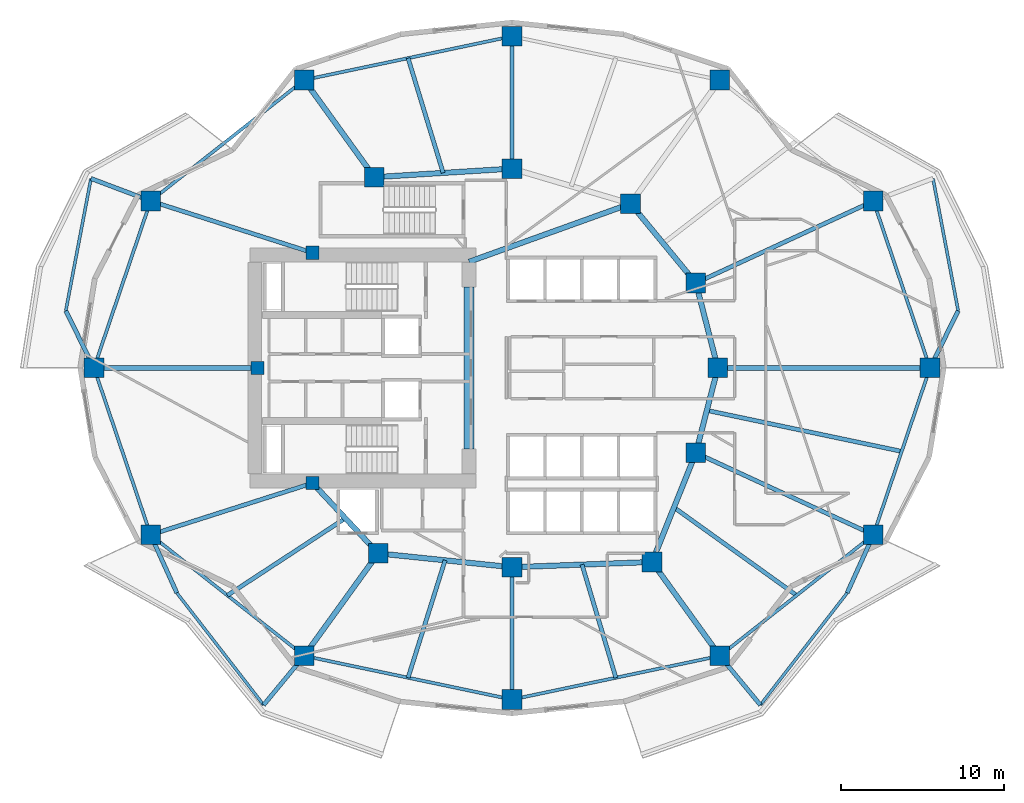
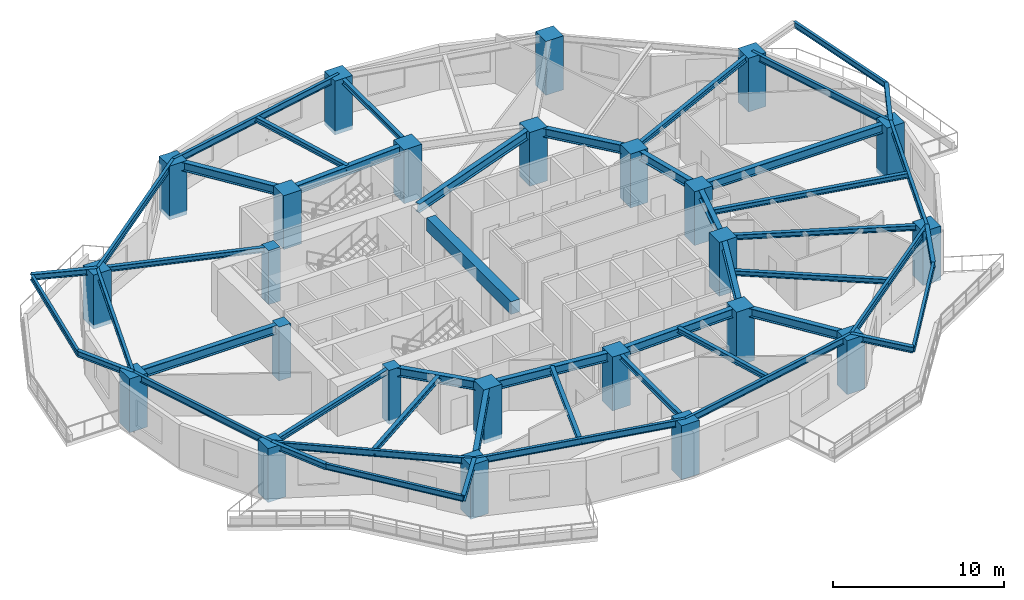
# One storey, part 1 of 11: 48 beams, 24 columns.
"""IFC4 building model written with IfcOpenShell, lengths in metres."""

from ifc_helpers import new_model, si_unit, direction, frame, origin, origin_2d, place, context, subcontext, project, spatial, rectangle, i_section, extrude, material, material_profile, profile_set, type_object, element, save


model = new_model("IFC4")

# Units and contexts
model_context = context("Model", 3, precision=1e-05, world=origin(), true_north=direction((0.0, 1.0)))
body_context = subcontext(model_context, "Body", "Model", "MODEL_VIEW")
ifc_project = project(units=[si_unit("LENGTHUNIT", "METRE"), si_unit("AREAUNIT", "SQUARE_METRE"), si_unit("VOLUMEUNIT", "CUBIC_METRE"), si_unit("PLANEANGLEUNIT", "RADIAN"), si_unit("MASSUNIT", "GRAM", prefix="KILO")], contexts=[model_context])

# Site, building, storey
site_placement = place(None, origin())
site = spatial("IfcSite", under=ifc_project, at=site_placement, CompositionType="ELEMENT")
building_placement = place(site_placement, origin())
building = spatial("IfcBuilding", under=site, at=building_placement, Name="Kolvaren Gate Tower and Convention Centre", CompositionType="ELEMENT")
storey_placement = place(building_placement, frame((0.0, 0.0, 88.10009765625)))
storey = spatial("IfcBuildingStorey", under=building, at=storey_placement, Name="L21", CompositionType="ELEMENT", Elevation=88.10009765625)

# Columns
ifc_material_1 = material(Name="Concrete C70/85", Category="concrete")
ifc_material_profile_1 = material_profile(ifc_material_1, rectangle(XDim=1.199951171875, YDim=1.199951171875, at=origin_2d()), Name="RC-COL-1200X1200")
ifc_profile_set_1 = profile_set([ifc_material_profile_1], Name="Concrete C70/85")
column_type_1 = type_object("IfcColumnType", Name="STR-COL-RC1200", PredefinedType="COLUMN", material=ifc_profile_set_1)
for number, where, z_axis, x_axis, name in (
    (1, (55.71240234375, 27.0, -0.280029296875), (0.0, 0.0, 1.0), (1.0, 0.0, 0.0), "Tower L21 Perimeter Supercolumn TP-01"),
    (2, (52.248779296875, 37.218505859375, -0.280029296875), (0.0, 0.0, 1.0), (1.0, 0.0, 0.0), "Tower L21 Perimeter Supercolumn TP-02"),
    (3, (42.846435546875, 44.627197265625, -0.280029296875), (0.0, 0.0, 1.0), (1.0, 0.0, 0.0), "Tower L21 Perimeter Supercolumn TP-03"),
    (4, (30.125, 47.300048828125, -0.280029296875), (0.0, 0.0, 1.0), (1.0, 0.0, 0.0), "Tower L21 Perimeter Supercolumn TP-04"),
    (5, (17.40380859375, 44.627197265625, -0.280029296875), (0.0, 0.0, 1.0), (1.0, 0.0, 0.0), "Tower L21 Perimeter Supercolumn TP-05"),
    (6, (8.001220703125, 37.218505859375, -0.280029296875), (0.0, 0.0, 1.0), (1.0, 0.0, 0.0), "Tower L21 Perimeter Supercolumn TP-06"),
    (7, (4.53759765625, 27.0, -0.280029296875), (0.0, 0.0, 1.0), (1.0, 0.0, 0.0), "Tower L21 Perimeter Supercolumn TP-07"),
    (8, (8.001220703125, 16.781494140625, -0.280029296875), (0.0, 0.0, 1.0), (1.0, 0.0, 0.0), "Tower L21 Perimeter Supercolumn TP-08"),
    (9, (17.403564453125, 9.372802734375, -0.280029296875), (0.0, 0.0, 1.0), (1.0, 0.0, 0.0), "Tower L21 Perimeter Supercolumn TP-09"),
    (10, (30.125, 6.699951171875, -0.280029296875), (0.0, 0.0, 1.0), (1.0, 0.0, 0.0), "Tower L21 Perimeter Supercolumn TP-10"),
    (11, (42.846435546875, 9.372802734375, -0.280029296875), (0.0, 0.0, 1.0), (1.0, 0.0, 0.0), "Tower L21 Perimeter Supercolumn TP-11"),
    (12, (52.248779296875, 16.781494140625, -0.280029296875), (0.0, 0.0, 1.0), (1.0, 0.0, 0.0), "Tower L21 Perimeter Supercolumn TP-12"),
    (13, (42.72509765625, 27.0, -0.280029296875), (0.0, 0.0, 1.0), (1.0, 0.0, 0.0), "Tower L21 Interior Column TI-01"),
    (14, (41.382080078125, 32.199462890625, -0.280029296875), (0.0, 0.0, 1.0), (1.0, 0.0, 0.0), "Tower L21 Interior Column TI-02"),
    (15, (37.381591796875, 37.054931640625, -0.280029296875), (0.0, 0.0, 1.0), (1.0, 0.0, 0.0), "Tower L21 Interior Column TI-03"),
    (16, (30.125, 39.199951171875, -0.280029296875), (0.0, 0.0, 1.0), (1.0, 0.0, 0.0), "Tower L21 Interior Column TI-04"),
    (17, (21.697998046875, 38.6767578125, -0.280029296875), (0.0, 0.0, 1.0), (1.0, 0.0, 0.0), "Tower L21 Interior Column TI-05"),
    (18, (21.93212890625, 15.647705078125, -0.280029296875), (0.0, 0.0, 1.0), (1.0, 0.0, 0.0), "Tower L21 Interior Column TI-06"),
    (19, (30.125, 14.800048828125, -0.280029296875), (0.0, 0.0, 1.0), (1.0, 0.0, 0.0), "Tower L21 Interior Column TI-07"),
    (20, (38.6982421875, 15.12060546875, -0.280029296875), (0.0, 0.0, 1.0), (1.0, 0.0, 0.0), "Tower L21 Interior Column TI-08"),
    (21, (41.382080078125, 21.800537109375, -0.280029296875), (0.0, 0.0, 1.0), (1.0, 0.0, 0.0), "Tower L21 Interior Column TI-09"),
):
    element("IfcColumn", number, at=place(storey_placement, frame(where, z_axis=z_axis, x_axis=x_axis)), inside=storey, type_object=column_type_1, Name=name, PredefinedType="COLUMN", context=body_context, shape_type="SweptSolid", body=[
        extrude(rectangle(XDim=1.199951171875, YDim=1.199951171875, at=origin_2d()), origin(), (0.0, 0.0, 1.0), 3.849853515625),
    ])
ifc_material_2 = material(Name="Concrete C60/75", Category="concrete")
ifc_material_profile_2 = material_profile(ifc_material_2, rectangle(XDim=0.800048828125, YDim=0.800048828125, at=origin_2d()), Name="RC-COL-800X800")
ifc_profile_set_2 = profile_set([ifc_material_profile_2], Name="Concrete C60/75")
column_type_2 = type_object("IfcColumnType", Name="STR-PIL-RC800", PredefinedType="PILASTER", material=ifc_profile_set_2)
for number, where, z_axis, x_axis, name in (
    (22, (17.9140625, 34.050048828125, -0.280029296875), (0.0, 0.0, 1.0), (1.0, 0.0, 0.0), "Tower L21 Core Boundary Pilaster TC-05"),
    (23, (14.550048828125, 27.0, -0.280029296875), (0.0, 0.0, 1.0), (1.0, 0.0, 0.0), "Tower L21 Core Boundary Pilaster TC-06"),
    (24, (17.9140625, 19.949951171875, -0.280029296875), (0.0, 0.0, 1.0), (1.0, 0.0, 0.0), "Tower L21 Core Boundary Pilaster TC-07"),
):
    element("IfcColumn", number, at=place(storey_placement, frame(where, z_axis=z_axis, x_axis=x_axis)), inside=storey, type_object=column_type_2, Name=name, PredefinedType="PILASTER", context=body_context, shape_type="SweptSolid", body=[
        extrude(rectangle(XDim=0.800048828125, YDim=0.800048828125, at=origin_2d()), origin(), (0.0, 0.0, 1.0), 3.849853515625),
    ])

# Beams
ifc_material_3 = material(Name="Structural steel ASTM A992 Grade 345 MPa", Category="steel")
ifc_material_profile_3 = material_profile(ifc_material_3, i_section(OverallWidth=0.260009765625, OverallDepth=0.419921875, WebThickness=0.013427734375, FlangeThickness=0.0224609375, at=origin_2d()), Name="W410X132")
ifc_profile_set_3 = profile_set([ifc_material_profile_3], Name="Structural steel ASTM A992 Grade 345 MPa")
beam_type_1 = type_object("IfcBeamType", Name="STR-BM-W410X132", PredefinedType="BEAM", material=ifc_profile_set_3)
beam_1_placement = place(storey_placement, frame((55.71240234375, 27.0, 3.3603515625), z_axis=(0.442775963142, 0.896632280516, 0.0), x_axis=(-0.896632280516, 0.442775963142, 0.0)))
element("IfcBeam", 25, at=beam_1_placement, inside=storey, type_object=beam_type_1, Name="Tower L22 Planted Balcony Outrigger Cantilever BC-1A", PredefinedType="BEAM", context=body_context, shape_type="SweptSolid", body=[
    extrude(i_section(OverallWidth=0.260009765625, OverallDepth=0.419921875, WebThickness=0.013427734375, FlangeThickness=0.0224609375, at=origin_2d()), origin(), (0.0, 0.0, 1.0), 3.89990234375),
])
beam_2_placement = place(storey_placement, frame((8.001220703125, 37.218505859375, 3.3603515625), z_axis=(-0.935601718951, 0.353057252434, 0.0), x_axis=(-0.353057252434, -0.935601718951, 0.0)))
element("IfcBeam", 26, at=beam_2_placement, inside=storey, type_object=beam_type_1, Name="Tower L22 Planted Balcony Outrigger Cantilever BC-2A", PredefinedType="BEAM", context=body_context, shape_type="SweptSolid", body=[
    extrude(i_section(OverallWidth=0.260009765625, OverallDepth=0.419921875, WebThickness=0.013427734375, FlangeThickness=0.0224609375, at=origin_2d()), origin(), (0.0, 0.0, 1.0), 3.900146484375),
])
beam_3_placement = place(storey_placement, frame((4.53759765625, 27.0, 3.3603515625), z_axis=(-0.442775963142, 0.896632280516, 0.0), x_axis=(-0.896632280516, -0.442775963142, 0.0)))
element("IfcBeam", 27, at=beam_3_placement, inside=storey, type_object=beam_type_1, Name="Tower L22 Planted Balcony Outrigger Cantilever BC-2B", PredefinedType="BEAM", context=body_context, shape_type="SweptSolid", body=[
    extrude(i_section(OverallWidth=0.260009765625, OverallDepth=0.419921875, WebThickness=0.013427734375, FlangeThickness=0.0224609375, at=origin_2d()), origin(), (0.0, 0.0, 1.0), 3.89990234375),
])
beam_4_placement = place(storey_placement, frame((8.001220703125, 16.781494140625, 3.3603515625), z_axis=(0.411967423592, -0.911198574351, 0.0), x_axis=(0.911198574351, 0.411967423592, 0.0)))
element("IfcBeam", 28, at=beam_4_placement, inside=storey, type_object=beam_type_1, Name="Tower L22 Planted Balcony Outrigger Cantilever BC-3A", PredefinedType="BEAM", context=body_context, shape_type="SweptSolid", body=[
    extrude(i_section(OverallWidth=0.260009765625, OverallDepth=0.419921875, WebThickness=0.013427734375, FlangeThickness=0.0224609375, at=origin_2d()), origin(), (0.0, 0.0, 1.0), 3.900146484375),
])
for number, where, z_axis, x_axis, name in (
    (29, (17.403564453125, 9.372802734375, 3.3603515625), (-0.637044832711, -0.770826751687, 0.0), (0.770826751687, -0.637044832711, 0.0), "Tower L22 Planted Balcony Outrigger Cantilever BC-3B"),
    (30, (42.846435546875, 9.372802734375, 3.3603515625), (0.637044832711, -0.770826751687, 0.0), (0.770826751687, 0.637044832711, 0.0), "Tower L22 Planted Balcony Outrigger Cantilever BC-4A"),
):
    element("IfcBeam", number, at=place(storey_placement, frame(where, z_axis=z_axis, x_axis=x_axis)), inside=storey, type_object=beam_type_1, Name=name, PredefinedType="BEAM", context=body_context, shape_type="SweptSolid", body=[
        extrude(i_section(OverallWidth=0.260009765625, OverallDepth=0.419921875, WebThickness=0.013427734375, FlangeThickness=0.0224609375, at=origin_2d()), origin(), (0.0, 0.0, 1.0), 3.89990234375),
    ])
beam_5_placement = place(storey_placement, frame((52.248779296875, 16.781494140625, 3.3603515625), z_axis=(-0.411967423592, -0.911198574351, 0.0), x_axis=(0.911198574351, -0.411967423592, 0.0)))
element("IfcBeam", 31, at=beam_5_placement, inside=storey, type_object=beam_type_1, Name="Tower L22 Planted Balcony Outrigger Cantilever BC-4B", PredefinedType="BEAM", context=body_context, shape_type="SweptSolid", body=[
    extrude(i_section(OverallWidth=0.260009765625, OverallDepth=0.419921875, WebThickness=0.013427734375, FlangeThickness=0.0224609375, at=origin_2d()), origin(), (0.0, 0.0, 1.0), 3.900146484375),
])
ifc_material_profile_4 = material_profile(ifc_material_3, i_section(OverallWidth=0.327880859375, OverallDepth=0.6279296875, WebThickness=0.0166015625, FlangeThickness=0.027587890625, at=origin_2d()), Name="W610X217")
ifc_profile_set_4 = profile_set([ifc_material_profile_4], Name="Structural steel ASTM A992 Grade 345 MPa")
beam_type_2 = type_object("IfcBeamType", Name="STR-BM-W610X217", PredefinedType="BEAM", material=ifc_profile_set_4)
beam_6_placement = place(storey_placement, frame((42.72509765625, 27.0, 3.255859375), z_axis=(-0.250091133936, -0.968222301296, 0.0), x_axis=(0.968222301296, -0.250091133936, 0.0)))
element("IfcBeam", 32, at=beam_6_placement, inside=storey, type_object=beam_type_2, Name="Tower L21 Primary Ring Girder G-01", PredefinedType="BEAM", context=body_context, shape_type="SweptSolid", body=[
    extrude(i_section(OverallWidth=0.327880859375, OverallDepth=0.6279296875, WebThickness=0.0166015625, FlangeThickness=0.027587890625, at=origin_2d()), origin(), (0.0, 0.0, 1.0), 5.3701171875),
])
beam_7_placement = place(storey_placement, frame((41.382080078125, 32.199462890625, 3.255859375), z_axis=(-0.635884066011, 0.771784590798, 0.0), x_axis=(-0.771784590798, -0.635884066011, 0.0)))
element("IfcBeam", 33, at=beam_7_placement, inside=storey, type_object=beam_type_2, Name="Tower L21 Primary Ring Girder G-02", PredefinedType="BEAM", context=body_context, shape_type="SweptSolid", body=[
    extrude(i_section(OverallWidth=0.327880859375, OverallDepth=0.6279296875, WebThickness=0.0166015625, FlangeThickness=0.027587890625, at=origin_2d()), origin(), (0.0, 0.0, 1.0), 6.291259765625),
])
beam_8_placement = place(storey_placement, frame((30.125, 39.199951171875, 3.255859375), z_axis=(-0.998078258568, -0.06196603726, 0.0), x_axis=(0.06196603726, -0.998078258568, 0.0)))
element("IfcBeam", 34, at=beam_8_placement, inside=storey, type_object=beam_type_2, Name="Tower L21 Primary Ring Girder G-04", PredefinedType="BEAM", context=body_context, shape_type="SweptSolid", body=[
    extrude(i_section(OverallWidth=0.327880859375, OverallDepth=0.6279296875, WebThickness=0.0166015625, FlangeThickness=0.027587890625, at=origin_2d()), origin(), (0.0, 0.0, 1.0), 8.443115234375),
])
beam_9_placement = place(storey_placement, frame((17.9140625, 19.949951171875, 3.255859375), z_axis=(0.682557592987, -0.730831808459, 0.0), x_axis=(0.730831808459, 0.682557592987, 0.0)))
element("IfcBeam", 35, at=beam_9_placement, inside=storey, type_object=beam_type_2, Name="Tower L21 Primary Ring Girder G-06", PredefinedType="BEAM", context=body_context, shape_type="SweptSolid", body=[
    extrude(i_section(OverallWidth=0.327880859375, OverallDepth=0.6279296875, WebThickness=0.0166015625, FlangeThickness=0.027587890625, at=origin_2d()), origin(), (0.0, 0.0, 1.0), 5.88671875),
])
beam_10_placement = place(storey_placement, frame((21.93212890625, 15.647705078125, 3.255859375), z_axis=(0.994690329115, -0.102913308978, 0.0), x_axis=(0.102913308978, 0.994690329115, 0.0)))
element("IfcBeam", 36, at=beam_10_placement, inside=storey, type_object=beam_type_2, Name="Tower L21 Primary Ring Girder G-07", PredefinedType="BEAM", context=body_context, shape_type="SweptSolid", body=[
    extrude(i_section(OverallWidth=0.327880859375, OverallDepth=0.6279296875, WebThickness=0.0166015625, FlangeThickness=0.027587890625, at=origin_2d()), origin(), (0.0, 0.0, 1.0), 8.236572265625),
])
beam_11_placement = place(storey_placement, frame((30.125, 14.800048828125, 3.255859375), z_axis=(0.999301712453, 0.037364254142, 0.0), x_axis=(-0.037364254142, 0.999301712453, 0.0)))
element("IfcBeam", 37, at=beam_11_placement, inside=storey, type_object=beam_type_2, Name="Tower L21 Primary Ring Girder G-08", PredefinedType="BEAM", context=body_context, shape_type="SweptSolid", body=[
    extrude(i_section(OverallWidth=0.327880859375, OverallDepth=0.6279296875, WebThickness=0.0166015625, FlangeThickness=0.027587890625, at=origin_2d()), origin(), (0.0, 0.0, 1.0), 8.579345703125),
])
beam_12_placement = place(storey_placement, frame((38.6982421875, 15.12060546875, 3.255859375), z_axis=(0.372811100169, 0.927907260232, 0.0), x_axis=(-0.927907260232, 0.372811100169, 0.0)))
element("IfcBeam", 38, at=beam_12_placement, inside=storey, type_object=beam_type_2, Name="Tower L21 Primary Ring Girder G-09", PredefinedType="BEAM", context=body_context, shape_type="SweptSolid", body=[
    extrude(i_section(OverallWidth=0.327880859375, OverallDepth=0.6279296875, WebThickness=0.0166015625, FlangeThickness=0.027587890625, at=origin_2d()), origin(), (0.0, 0.0, 1.0), 7.198974609375),
])
beam_13_placement = place(storey_placement, frame((27.5, 33.5, 3.255859375), z_axis=(0.940961479908, 0.338513653093, 0.0), x_axis=(-0.338513653093, 0.940961479908, 0.0)))
element("IfcBeam", 39, at=beam_13_placement, inside=storey, type_object=beam_type_2, Name="Tower L21 Primary Ring Girder G-10", PredefinedType="BEAM", context=body_context, shape_type="SweptSolid", body=[
    extrude(i_section(OverallWidth=0.327880859375, OverallDepth=0.6279296875, WebThickness=0.0166015625, FlangeThickness=0.027587890625, at=origin_2d()), origin(), (0.0, 0.0, 1.0), 10.501708984375),
])
beam_14_placement = place(storey_placement, frame((42.72509765625, 27.0, 3.255859375), z_axis=(-0.250091133936, 0.968222301296, 0.0), x_axis=(-0.968222301296, -0.250091133936, 0.0)))
element("IfcBeam", 40, at=beam_14_placement, inside=storey, type_object=beam_type_2, Name="Tower L21 Primary Ring Girder G-12", PredefinedType="BEAM", context=body_context, shape_type="SweptSolid", body=[
    extrude(i_section(OverallWidth=0.327880859375, OverallDepth=0.6279296875, WebThickness=0.0166015625, FlangeThickness=0.027587890625, at=origin_2d()), origin(), (0.0, 0.0, 1.0), 5.3701171875),
])
beam_15_placement = place(storey_placement, frame((42.72509765625, 27.0, 3.255859375), z_axis=(1.0, 0.0, 0.0), x_axis=(0.0, 1.0, 0.0)))
element("IfcBeam", 41, at=beam_15_placement, inside=storey, type_object=beam_type_2, Name="Tower L21 Radial Floor Girder RB-01", PredefinedType="BEAM", context=body_context, shape_type="SweptSolid", body=[
    extrude(i_section(OverallWidth=0.327880859375, OverallDepth=0.6279296875, WebThickness=0.0166015625, FlangeThickness=0.027587890625, at=origin_2d()), origin(), (0.0, 0.0, 1.0), 12.9873046875),
])
beam_16_placement = place(storey_placement, frame((21.697998046875, 38.6767578125, 3.255859375), z_axis=(-0.585190474102, 0.810895868173, 0.0), x_axis=(-0.810895868173, -0.585190474102, 0.0)))
element("IfcBeam", 42, at=beam_16_placement, inside=storey, type_object=beam_type_2, Name="Tower L21 Radial Floor Girder RB-05", PredefinedType="BEAM", context=body_context, shape_type="SweptSolid", body=[
    extrude(i_section(OverallWidth=0.327880859375, OverallDepth=0.6279296875, WebThickness=0.0166015625, FlangeThickness=0.027587890625, at=origin_2d()), origin(), (0.0, 0.0, 1.0), 7.338134765625),
])
beam_17_placement = place(storey_placement, frame((14.550048828125, 27.0, 3.255859375), z_axis=(-1.0, 0.0, 0.0), x_axis=(0.0, -1.0, 0.0)))
element("IfcBeam", 43, at=beam_17_placement, inside=storey, type_object=beam_type_2, Name="Tower L21 Radial Floor Girder RB-07", PredefinedType="BEAM", context=body_context, shape_type="SweptSolid", body=[
    extrude(i_section(OverallWidth=0.327880859375, OverallDepth=0.6279296875, WebThickness=0.0166015625, FlangeThickness=0.027587890625, at=origin_2d()), origin(), (0.0, 0.0, 1.0), 10.012451171875),
])
beam_18_placement = place(storey_placement, frame((21.93212890625, 15.647705078125, 3.255859375), z_axis=(-0.585209453994, -0.810882170821, 0.0), x_axis=(0.810882170821, -0.585209453994, 0.0)))
element("IfcBeam", 44, at=beam_18_placement, inside=storey, type_object=beam_type_2, Name="Tower L21 Radial Floor Girder RB-09", PredefinedType="BEAM", context=body_context, shape_type="SweptSolid", body=[
    extrude(i_section(OverallWidth=0.327880859375, OverallDepth=0.6279296875, WebThickness=0.0166015625, FlangeThickness=0.027587890625, at=origin_2d()), origin(), (0.0, 0.0, 1.0), 7.73828125),
])
beam_19_placement = place(storey_placement, frame((38.6982421875, 15.12060546875, 3.255859375), z_axis=(0.585212604054, -0.81087989743, 0.0), x_axis=(0.81087989743, 0.585212604054, 0.0)))
element("IfcBeam", 45, at=beam_19_placement, inside=storey, type_object=beam_type_2, Name="Tower L21 Radial Floor Girder RB-11", PredefinedType="BEAM", context=body_context, shape_type="SweptSolid", body=[
    extrude(i_section(OverallWidth=0.327880859375, OverallDepth=0.6279296875, WebThickness=0.0166015625, FlangeThickness=0.027587890625, at=origin_2d()), origin(), (0.0, 0.0, 1.0), 7.08837890625),
])
ifc_material_profile_5 = material_profile(ifc_material_3, i_section(OverallWidth=0.2548828125, OverallDepth=0.35693359375, WebThickness=0.010498046875, FlangeThickness=0.018310546875, at=origin_2d()), Name="W360X101")
ifc_profile_set_5 = profile_set([ifc_material_profile_5], Name="Structural steel ASTM A992 Grade 345 MPa")
beam_type_3 = type_object("IfcBeamType", Name="STR-JS-W360X101", PredefinedType="JOIST", material=ifc_profile_set_5)
beam_20_placement = place(storey_placement, frame((41.382080078125, 32.199462890625, 3.391357421875), z_axis=(0.907843538102, 0.419309086864, 0.0), x_axis=(-0.419309086864, 0.907843538102, 0.0)))
element("IfcBeam", 46, at=beam_20_placement, inside=storey, type_object=beam_type_3, Name="Tower L21 Radial Floor Girder RB-02", PredefinedType="JOIST", context=body_context, shape_type="SweptSolid", body=[
    extrude(i_section(OverallWidth=0.2548828125, OverallDepth=0.35693359375, WebThickness=0.010498046875, FlangeThickness=0.018310546875, at=origin_2d()), origin(), (0.0, 0.0, 1.0), 11.9697265625),
])
beam_21_placement = place(storey_placement, frame((30.125, 39.199951171875, 3.391357421875), z_axis=(0.0, 1.0, 0.0), x_axis=(-1.0, 0.0, 0.0)))
element("IfcBeam", 47, at=beam_21_placement, inside=storey, type_object=beam_type_3, Name="Tower L21 Radial Floor Girder RB-04", PredefinedType="JOIST", context=body_context, shape_type="SweptSolid", body=[
    extrude(i_section(OverallWidth=0.2548828125, OverallDepth=0.35693359375, WebThickness=0.010498046875, FlangeThickness=0.018310546875, at=origin_2d()), origin(), (0.0, 0.0, 1.0), 8.10009765625),
])
for number, where, z_axis, x_axis, name in (
    (48, (17.9140625, 34.050048828125, 3.391357421875), (-0.952525967456, 0.304457355507, 0.0), (-0.304457355507, -0.952525967456, 0.0), "Tower L21 Radial Floor Girder RB-06"),
    (49, (17.9140625, 19.949951171875, 3.391357421875), (-0.952525967456, -0.304457355507, 0.0), (0.304457355507, -0.952525967456, 0.0), "Tower L21 Radial Floor Girder RB-08"),
):
    element("IfcBeam", number, at=place(storey_placement, frame(where, z_axis=z_axis, x_axis=x_axis)), inside=storey, type_object=beam_type_3, Name=name, PredefinedType="JOIST", context=body_context, shape_type="SweptSolid", body=[
        extrude(i_section(OverallWidth=0.2548828125, OverallDepth=0.35693359375, WebThickness=0.010498046875, FlangeThickness=0.018310546875, at=origin_2d()), origin(), (0.0, 0.0, 1.0), 10.406982421875),
    ])
beam_22_placement = place(storey_placement, frame((30.125, 14.800048828125, 3.391357421875), z_axis=(0.0, -1.0, 0.0), x_axis=(1.0, 0.0, 0.0)))
element("IfcBeam", 50, at=beam_22_placement, inside=storey, type_object=beam_type_3, Name="Tower L21 Radial Floor Girder RB-10", PredefinedType="JOIST", context=body_context, shape_type="SweptSolid", body=[
    extrude(i_section(OverallWidth=0.2548828125, OverallDepth=0.35693359375, WebThickness=0.010498046875, FlangeThickness=0.018310546875, at=origin_2d()), origin(), (0.0, 0.0, 1.0), 8.10009765625),
])
beam_23_placement = place(storey_placement, frame((41.382080078125, 21.800537109375, 3.391357421875), z_axis=(0.907843538102, -0.419309086864, 0.0), x_axis=(0.419309086864, 0.907843538102, 0.0)))
element("IfcBeam", 51, at=beam_23_placement, inside=storey, type_object=beam_type_3, Name="Tower L21 Radial Floor Girder RB-12", PredefinedType="JOIST", context=body_context, shape_type="SweptSolid", body=[
    extrude(i_section(OverallWidth=0.2548828125, OverallDepth=0.35693359375, WebThickness=0.010498046875, FlangeThickness=0.018310546875, at=origin_2d()), origin(), (0.0, 0.0, 1.0), 11.9697265625),
])
beam_24_placement = place(storey_placement, frame((25.91162109375, 38.938232421875, 3.391357421875), z_axis=(-0.292298748053, 0.956327058012, 0.0), x_axis=(-0.956327058012, -0.292298748053, 0.0)))
element("IfcBeam", 52, at=beam_24_placement, inside=storey, type_object=beam_type_3, Name="Tower L21 Secondary Composite Floor Joist J-04.1", PredefinedType="JOIST", context=body_context, shape_type="SweptSolid", body=[
    extrude(i_section(OverallWidth=0.2548828125, OverallDepth=0.35693359375, WebThickness=0.010498046875, FlangeThickness=0.018310546875, at=origin_2d()), origin(), (0.0, 0.0, 1.0), 7.345947265625),
])
beam_25_placement = place(storey_placement, frame((19.923095703125, 17.798828125, 3.391357421875), z_axis=(-0.836945684387, -0.547285959428, 0.0), x_axis=(0.547285959428, -0.836945684387, 0.0)))
element("IfcBeam", 53, at=beam_25_placement, inside=storey, type_object=beam_type_3, Name="Tower L21 Secondary Composite Floor Joist J-08.1", PredefinedType="JOIST", context=body_context, shape_type="SweptSolid", body=[
    extrude(i_section(OverallWidth=0.2548828125, OverallDepth=0.35693359375, WebThickness=0.010498046875, FlangeThickness=0.018310546875, at=origin_2d()), origin(), (0.0, 0.0, 1.0), 8.62744140625),
])
beam_26_placement = place(storey_placement, frame((26.028564453125, 15.223876953125, 3.391357421875), z_axis=(-0.300467647472, -0.953792007108, 0.0), x_axis=(0.953792007108, -0.300467647472, 0.0)))
element("IfcBeam", 54, at=beam_26_placement, inside=storey, type_object=beam_type_3, Name="Tower L21 Secondary Composite Floor Joist J-09.1", PredefinedType="JOIST", context=body_context, shape_type="SweptSolid", body=[
    extrude(i_section(OverallWidth=0.2548828125, OverallDepth=0.35693359375, WebThickness=0.010498046875, FlangeThickness=0.018310546875, at=origin_2d()), origin(), (0.0, 0.0, 1.0), 7.535400390625),
])
beam_27_placement = place(storey_placement, frame((34.41162109375, 14.960205078125, 3.391357421875), z_axis=(0.286954287166, -0.957944276603, 0.0), x_axis=(0.957944276603, 0.286954287166, 0.0)))
element("IfcBeam", 55, at=beam_27_placement, inside=storey, type_object=beam_type_3, Name="Tower L21 Secondary Composite Floor Joist J-10.1", PredefinedType="JOIST", context=body_context, shape_type="SweptSolid", body=[
    extrude(i_section(OverallWidth=0.2548828125, OverallDepth=0.35693359375, WebThickness=0.010498046875, FlangeThickness=0.018310546875, at=origin_2d()), origin(), (0.0, 0.0, 1.0), 7.2275390625),
])
beam_28_placement = place(storey_placement, frame((40.040283203125, 18.46044921875, 3.391357421875), z_axis=(0.812660683761, -0.582737173234, 0.0), x_axis=(0.582737173234, 0.812660683761, 0.0)))
element("IfcBeam", 56, at=beam_28_placement, inside=storey, type_object=beam_type_3, Name="Tower L21 Secondary Composite Floor Joist J-11.1", PredefinedType="JOIST", context=body_context, shape_type="SweptSolid", body=[
    extrude(i_section(OverallWidth=0.2548828125, OverallDepth=0.35693359375, WebThickness=0.010498046875, FlangeThickness=0.018310546875, at=origin_2d()), origin(), (0.0, 0.0, 1.0), 9.238037109375),
])
beam_29_placement = place(storey_placement, frame((42.0537109375, 24.400146484375, 3.391357421875), z_axis=(0.978573369431, -0.205898423114, 0.0), x_axis=(0.205898423114, 0.978573369431, 0.0)))
element("IfcBeam", 57, at=beam_29_placement, inside=storey, type_object=beam_type_3, Name="Tower L21 Secondary Composite Floor Joist J-12.1", PredefinedType="JOIST", context=body_context, shape_type="SweptSolid", body=[
    extrude(i_section(OverallWidth=0.2548828125, OverallDepth=0.35693359375, WebThickness=0.010498046875, FlangeThickness=0.018310546875, at=origin_2d()), origin(), (0.0, 0.0, 1.0), 12.188232421875),
])
ifc_material_profile_6 = material_profile(ifc_material_2, rectangle(XDim=0.60009765625, YDim=0.89990234375, at=origin_2d()), Name="RC-BM-600X900")
ifc_profile_set_6 = profile_set([ifc_material_profile_6], Name="Concrete C60/75")
beam_type_4 = type_object("IfcBeamType", Name="STR-LN-RC600X900", PredefinedType="LINTEL", material=ifc_profile_set_6)
beam_30_placement = place(storey_placement, frame((27.5, 22.050048828125, 3.119873046875), z_axis=(0.0, 1.0, 0.0), x_axis=(-1.0, 0.0, 0.0)))
element("IfcBeam", 58, at=beam_30_placement, inside=storey, type_object=beam_type_4, Name="Tower L21 Core Ductile Coupling Beam CB-01", PredefinedType="LINTEL", context=body_context, shape_type="SweptSolid", body=[
    extrude(rectangle(XDim=0.60009765625, YDim=0.89990234375, at=origin_2d()), origin(), (0.0, 0.0, 1.0), 9.89990234375),
])
ifc_material_profile_7 = material_profile(ifc_material_3, i_section(OverallWidth=0.180908203125, OverallDepth=0.4169921875, WebThickness=0.010986328125, FlangeThickness=0.018310546875, at=origin_2d()), Name="W410X85")
ifc_profile_set_7 = profile_set([ifc_material_profile_7], Name="Structural steel ASTM A992 Grade 345 MPa")
beam_type_5 = type_object("IfcBeamType", Name="STR-SP-W410X85", PredefinedType="SPANDREL", material=ifc_profile_set_7)
for number, where, z_axis, x_axis, name in (
    (59, (57.439208984375, 30.496826171875, 3.36181640625), (-0.186984188423, 0.982362923404, 0.0), (-0.982362923404, -0.186984188423, 0.0), "Tower L22 Planted Balcony Header Tie Beam BT-1"),
    (60, (4.352294921875, 38.595458984375, 3.36181640625), (-0.186984188423, -0.982362923404, 0.0), (0.982362923404, -0.186984188423, 0.0), "Tower L22 Planted Balcony Header Tie Beam BT-2"),
):
    element("IfcBeam", number, at=place(storey_placement, frame(where, z_axis=z_axis, x_axis=x_axis)), inside=storey, type_object=beam_type_5, Name=name, PredefinedType="SPANDREL", context=body_context, shape_type="SweptSolid", body=[
        extrude(i_section(OverallWidth=0.180908203125, OverallDepth=0.4169921875, WebThickness=0.010986328125, FlangeThickness=0.018310546875, at=origin_2d()), origin(), (0.0, 0.0, 1.0), 8.244140625),
    ])
for number, where, z_axis, x_axis, name in (
    (61, (9.60791015625, 13.227783203125, 3.36181640625), (0.61213516889, -0.790753144166, 0.0), (0.790753144166, 0.61213516889, 0.0), "Tower L22 Planted Balcony Header Tie Beam BT-3"),
    (62, (45.330810546875, 6.36669921875, 3.36181640625), (0.61213516889, 0.790753144166, 0.0), (-0.790753144166, 0.61213516889, 0.0), "Tower L22 Planted Balcony Header Tie Beam BT-4"),
):
    element("IfcBeam", number, at=place(storey_placement, frame(where, z_axis=z_axis, x_axis=x_axis)), inside=storey, type_object=beam_type_5, Name=name, PredefinedType="SPANDREL", context=body_context, shape_type="SweptSolid", body=[
        extrude(i_section(OverallWidth=0.180908203125, OverallDepth=0.4169921875, WebThickness=0.010986328125, FlangeThickness=0.018310546875, at=origin_2d()), origin(), (0.0, 0.0, 1.0), 8.6767578125),
    ])
ifc_material_profile_8 = material_profile(ifc_material_3, i_section(OverallWidth=0.194091796875, OverallDepth=0.468994140625, WebThickness=0.0126953125, FlangeThickness=0.0205078125, at=origin_2d()), Name="W460X106")
ifc_profile_set_8 = profile_set([ifc_material_profile_8], Name="Structural steel ASTM A992 Grade 345 MPa")
beam_type_6 = type_object("IfcBeamType", Name="STR-SP-W460X106", PredefinedType="SPANDREL", material=ifc_profile_set_8)
beam_31_placement = place(storey_placement, frame((55.71240234375, 27.0, 3.33544921875), z_axis=(-0.321016233787, 0.947073691771, 0.0), x_axis=(-0.947073691771, -0.321016233787, 0.0)))
element("IfcBeam", 63, at=beam_31_placement, inside=storey, type_object=beam_type_6, Name="Tower L21 Perimeter Spandrel Beam SP-01", PredefinedType="SPANDREL", context=body_context, shape_type="SweptSolid", body=[
    extrude(i_section(OverallWidth=0.194091796875, OverallDepth=0.468994140625, WebThickness=0.0126953125, FlangeThickness=0.0205078125, at=origin_2d()), origin(), (0.0, 0.0, 1.0), 10.78955078125),
])
beam_32_placement = place(storey_placement, frame((30.125, 47.300048828125, 3.33544921875), z_axis=(-0.97863180809, -0.205620485836, 0.0), x_axis=(0.205620485836, -0.97863180809, 0.0)))
element("IfcBeam", 64, at=beam_32_placement, inside=storey, type_object=beam_type_6, Name="Tower L21 Perimeter Spandrel Beam SP-04", PredefinedType="SPANDREL", context=body_context, shape_type="SweptSolid", body=[
    extrude(i_section(OverallWidth=0.194091796875, OverallDepth=0.468994140625, WebThickness=0.0126953125, FlangeThickness=0.0205078125, at=origin_2d()), origin(), (0.0, 0.0, 1.0), 12.9990234375),
])
beam_33_placement = place(storey_placement, frame((17.40380859375, 44.627197265625, 3.33544921875), z_axis=(-0.785467636887, -0.618902731778, 0.0), x_axis=(0.618902731778, -0.785467636887, 0.0)))
element("IfcBeam", 65, at=beam_33_placement, inside=storey, type_object=beam_type_6, Name="Tower L21 Perimeter Spandrel Beam SP-05", PredefinedType="SPANDREL", context=body_context, shape_type="SweptSolid", body=[
    extrude(i_section(OverallWidth=0.194091796875, OverallDepth=0.468994140625, WebThickness=0.0126953125, FlangeThickness=0.0205078125, at=origin_2d()), origin(), (0.0, 0.0, 1.0), 11.970703125),
])
for number, where, z_axis, x_axis, name in (
    (66, (8.001220703125, 37.218505859375, 3.33544921875), (-0.321016233787, -0.947073691771, 0.0), (0.947073691771, -0.321016233787, 0.0), "Tower L21 Perimeter Spandrel Beam SP-06"),
    (67, (4.53759765625, 27.0, 3.33544921875), (0.321016233787, -0.947073691771, 0.0), (0.947073691771, 0.321016233787, 0.0), "Tower L21 Perimeter Spandrel Beam SP-07"),
):
    element("IfcBeam", number, at=place(storey_placement, frame(where, z_axis=z_axis, x_axis=x_axis)), inside=storey, type_object=beam_type_6, Name=name, PredefinedType="SPANDREL", context=body_context, shape_type="SweptSolid", body=[
        extrude(i_section(OverallWidth=0.194091796875, OverallDepth=0.468994140625, WebThickness=0.0126953125, FlangeThickness=0.0205078125, at=origin_2d()), origin(), (0.0, 0.0, 1.0), 10.78955078125),
    ])
beam_34_placement = place(storey_placement, frame((8.001220703125, 16.781494140625, 3.33544921875), z_axis=(0.785459824636, -0.618912646407, 0.0), x_axis=(0.618912646407, 0.785459824636, 0.0)))
element("IfcBeam", 68, at=beam_34_placement, inside=storey, type_object=beam_type_6, Name="Tower L21 Perimeter Spandrel Beam SP-08", PredefinedType="SPANDREL", context=body_context, shape_type="SweptSolid", body=[
    extrude(i_section(OverallWidth=0.194091796875, OverallDepth=0.468994140625, WebThickness=0.0126953125, FlangeThickness=0.0205078125, at=origin_2d()), origin(), (0.0, 0.0, 1.0), 11.970458984375),
])
for number, where, z_axis, x_axis, name in (
    (69, (17.403564453125, 9.372802734375, 3.33544921875), (0.978632602148, -0.205616706552, 0.0), (0.205616706552, 0.978632602148, 0.0), "Tower L21 Perimeter Spandrel Beam SP-09"),
    (70, (30.125, 6.699951171875, 3.33544921875), (0.978632602148, 0.205616706552, 0.0), (-0.205616706552, 0.978632602148, 0.0), "Tower L21 Perimeter Spandrel Beam SP-10"),
):
    element("IfcBeam", number, at=place(storey_placement, frame(where, z_axis=z_axis, x_axis=x_axis)), inside=storey, type_object=beam_type_6, Name=name, PredefinedType="SPANDREL", context=body_context, shape_type="SweptSolid", body=[
        extrude(i_section(OverallWidth=0.194091796875, OverallDepth=0.468994140625, WebThickness=0.0126953125, FlangeThickness=0.0205078125, at=origin_2d()), origin(), (0.0, 0.0, 1.0), 12.999267578125),
    ])
beam_35_placement = place(storey_placement, frame((42.846435546875, 9.372802734375, 3.33544921875), z_axis=(0.785459824636, 0.618912646407, 0.0), x_axis=(-0.618912646407, 0.785459824636, 0.0)))
element("IfcBeam", 71, at=beam_35_placement, inside=storey, type_object=beam_type_6, Name="Tower L21 Perimeter Spandrel Beam SP-11", PredefinedType="SPANDREL", context=body_context, shape_type="SweptSolid", body=[
    extrude(i_section(OverallWidth=0.194091796875, OverallDepth=0.468994140625, WebThickness=0.0126953125, FlangeThickness=0.0205078125, at=origin_2d()), origin(), (0.0, 0.0, 1.0), 11.970458984375),
])
beam_36_placement = place(storey_placement, frame((52.248779296875, 16.781494140625, 3.33544921875), z_axis=(0.321016233787, 0.947073691771, 0.0), x_axis=(-0.947073691771, 0.321016233787, 0.0)))
element("IfcBeam", 72, at=beam_36_placement, inside=storey, type_object=beam_type_6, Name="Tower L21 Perimeter Spandrel Beam SP-12", PredefinedType="SPANDREL", context=body_context, shape_type="SweptSolid", body=[
    extrude(i_section(OverallWidth=0.194091796875, OverallDepth=0.468994140625, WebThickness=0.0126953125, FlangeThickness=0.0205078125, at=origin_2d()), origin(), (0.0, 0.0, 1.0), 10.78955078125),
])

save(model, "model.ifc")
